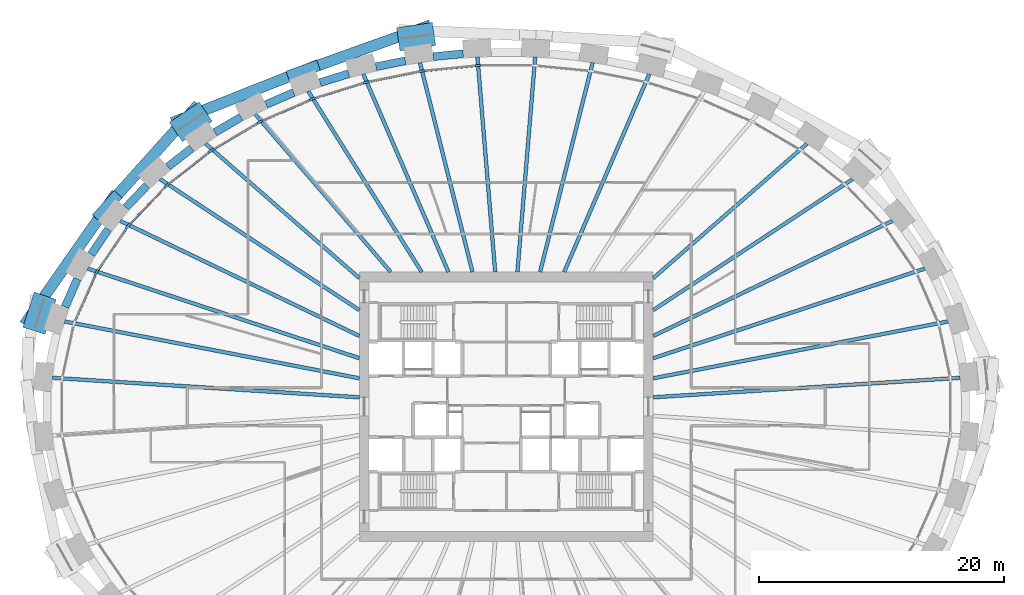
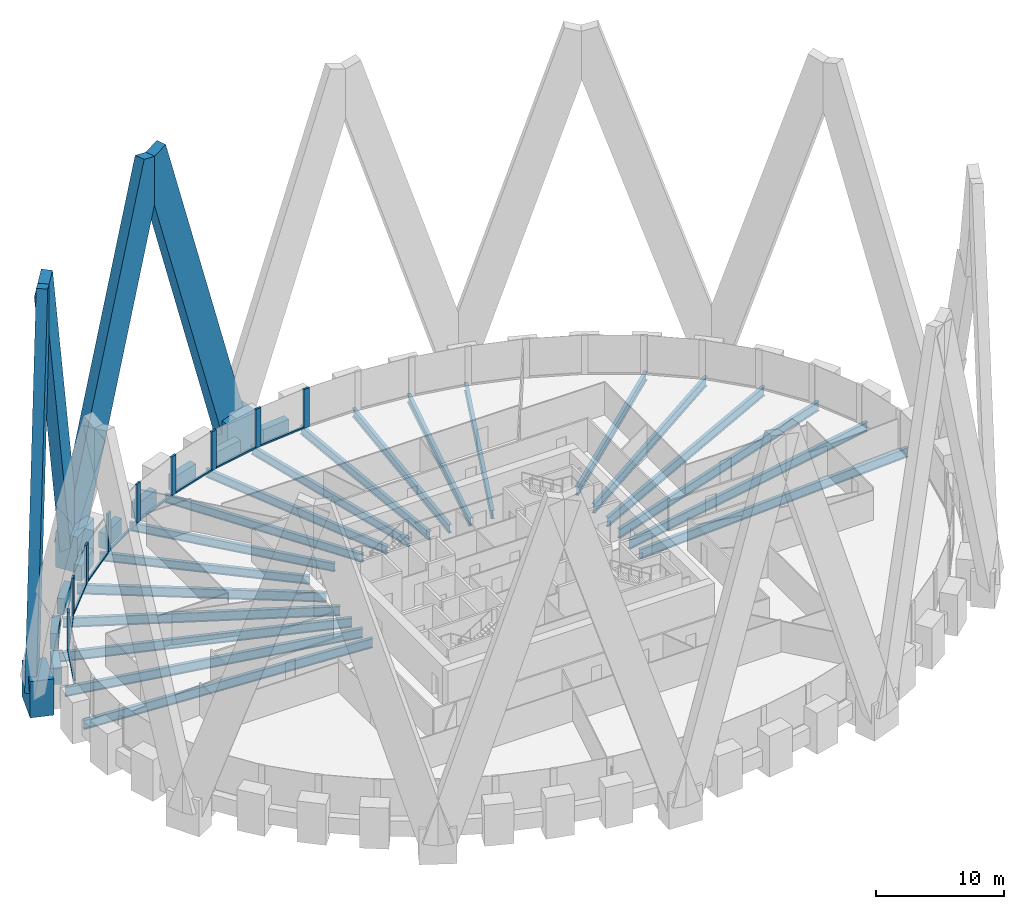
# One storey, part 3 of 12: 29 beams, 25 members, 1 element without a shape of its own.
"""IFC4 building model written with IfcOpenShell, lengths in metres."""

from ifc_helpers import new_model, si_unit, direction, frame, origin, origin_2d, place, context, subcontext, project, spatial, rectangle, i_section, extrude, source, transform, mapped, material, material_profile, profile_set, type_object, element, aggregate, save


model = new_model("IFC4")

# Units and contexts
model_context = context("Model", 3, precision=1e-05, world=origin(), true_north=direction((0.0, 1.0)))
body_context = subcontext(model_context, "Body", "Model", "MODEL_VIEW")
ifc_project = project(units=[si_unit("LENGTHUNIT", "METRE"), si_unit("AREAUNIT", "SQUARE_METRE"), si_unit("VOLUMEUNIT", "CUBIC_METRE"), si_unit("PLANEANGLEUNIT", "RADIAN"), si_unit("MASSUNIT", "GRAM", prefix="KILO")], contexts=[model_context])

# Site, building, storey
site_placement = place(None, origin())
site = spatial("IfcSite", under=ifc_project, at=site_placement, CompositionType="ELEMENT")
building_placement = place(site_placement, origin())
building = spatial("IfcBuilding", under=site, at=building_placement, Name="Embergate Tower", CompositionType="ELEMENT")
storey_placement = place(building_placement, frame((0.0, 0.0, 159.89990234375)))
storey = spatial("IfcBuildingStorey", under=building, at=storey_placement, Name="L35", CompositionType="ELEMENT", Elevation=159.89990234375)

# Beams
ifc_material_1 = material(Name="Concrete C70", Category="concrete")
ifc_material_profile_1 = material_profile(ifc_material_1, rectangle(XDim=0.64990234375, YDim=1.5, at=origin_2d()), Name="RC 650x1500")
ifc_profile_set_1 = profile_set([ifc_material_profile_1], Name="Concrete C70")
beam_type_1 = type_object("IfcBeamType", Name="Spandrel beam RC 650x1500 C70", PredefinedType="BEAM", material=ifc_profile_set_1)
shared_shape_1 = source(origin(), body_context, "Body", "SweptSolid", [
    extrude(rectangle(XDim=0.64990234375, YDim=1.5, at=origin_2d()), origin(), (0.0, 0.0, 1.0), 2.48828125),
])
beam_1_placement = place(storey_placement, frame((-35.0419921875, 10.43505859375, 0.0), z_axis=(-0.401472379967, -0.91587113074, 0.0), x_axis=(0.91587113074, -0.401472379967, 0.0)))
element("IfcBeam", 1, at=beam_1_placement, inside=storey, type_object=beam_type_1, Name="SPN-L35-19", PredefinedType="BEAM", context=body_context, shape_type="MappedRepresentation", body=[
    mapped(shared_shape_1, transform((0.0, 0.0, 0.0))),
])
shared_shape_2 = source(origin(), body_context, "Body", "SweptSolid", [
    extrude(rectangle(XDim=0.64990234375, YDim=1.5, at=origin_2d()), origin(), (0.0, 0.0, 1.0), 2.4775390625),
])
beam_2_placement = place(storey_placement, frame((-32.51806640625, 14.486083984375, 0.0), z_axis=(-0.562159078618, -0.827029123022, 0.0), x_axis=(0.827029123022, -0.562159078618, 0.0)))
element("IfcBeam", 2, at=beam_2_placement, inside=storey, type_object=beam_type_1, Name="SPN-L35-18", PredefinedType="BEAM", context=body_context, shape_type="MappedRepresentation", body=[
    mapped(shared_shape_2, transform((0.0, 0.0, 0.0))),
])
shared_shape_3 = source(origin(), body_context, "Body", "SweptSolid", [
    extrude(rectangle(XDim=0.64990234375, YDim=1.5, at=origin_2d()), origin(), (0.0, 0.0, 1.0), 2.473388671875),
])
beam_3_placement = place(storey_placement, frame((-29.364990234375, 18.06494140625, 0.0), z_axis=(-0.69012823406, -0.723687101276, 0.0), x_axis=(0.723687101276, -0.69012823406, 0.0)))
element("IfcBeam", 3, at=beam_3_placement, inside=storey, type_object=beam_type_1, Name="SPN-L35-17", PredefinedType="BEAM", context=body_context, shape_type="MappedRepresentation", body=[
    mapped(shared_shape_3, transform((0.0, 0.0, 0.0))),
])
shared_shape_4 = source(origin(), body_context, "Body", "SweptSolid", [
    extrude(rectangle(XDim=0.64990234375, YDim=1.5, at=origin_2d()), origin(), (0.0, 0.0, 1.0), 2.466552734375),
])
beam_4_placement = place(storey_placement, frame((-25.702880859375, 21.112060546875, 0.0), z_axis=(-0.788172909908, -0.615453868367, 0.0), x_axis=(0.615453868367, -0.788172909908, 0.0)))
element("IfcBeam", 4, at=beam_4_placement, inside=storey, type_object=beam_type_1, Name="SPN-L35-16", PredefinedType="BEAM", context=body_context, shape_type="MappedRepresentation", body=[
    mapped(shared_shape_4, transform((0.0, 0.0, 0.0))),
])
shared_shape_5 = source(origin(), body_context, "Body", "SweptSolid", [
    extrude(rectangle(XDim=0.64990234375, YDim=1.5, at=origin_2d()), origin(), (0.0, 0.0, 1.0), 2.46142578125),
])
beam_5_placement = place(storey_placement, frame((-21.678955078125, 23.652099609375, 0.0), z_axis=(-0.86214832468, -0.506655964389, 0.0), x_axis=(0.506655964389, -0.86214832468, 0.0)))
element("IfcBeam", 5, at=beam_5_placement, inside=storey, type_object=beam_type_1, Name="SPN-L35-15", PredefinedType="BEAM", context=body_context, shape_type="MappedRepresentation", body=[
    mapped(shared_shape_5, transform((0.0, 0.0, 0.0))),
])
shared_shape_6 = source(origin(), body_context, "Body", "SweptSolid", [
    extrude(rectangle(XDim=0.64990234375, YDim=1.5, at=origin_2d()), origin(), (0.0, 0.0, 1.0), 2.456787109375),
])
beam_6_placement = place(storey_placement, frame((-17.3701171875, 25.6640625, 0.0), z_axis=(-0.916257660854, -0.40058943936, 0.0), x_axis=(0.40058943936, -0.916257660854, 0.0)))
element("IfcBeam", 6, at=beam_6_placement, inside=storey, type_object=beam_type_1, Name="SPN-L35-14", PredefinedType="BEAM", context=body_context, shape_type="MappedRepresentation", body=[
    mapped(shared_shape_6, transform((0.0, 0.0, 0.0))),
])
shared_shape_7 = source(origin(), body_context, "Body", "SweptSolid", [
    extrude(rectangle(XDim=0.64990234375, YDim=1.5, at=origin_2d()), origin(), (0.0, 0.0, 1.0), 2.4541015625),
])
beam_7_placement = place(storey_placement, frame((-12.8720703125, 27.197998046875, 0.0), z_axis=(-0.954736297307, -0.29745353016, 0.0), x_axis=(0.29745353016, -0.954736297307, 0.0)))
element("IfcBeam", 7, at=beam_7_placement, inside=storey, type_object=beam_type_1, Name="SPN-L35-13", PredefinedType="BEAM", context=body_context, shape_type="MappedRepresentation", body=[
    mapped(shared_shape_7, transform((0.0, 0.0, 0.0))),
])
shared_shape_8 = source(origin(), body_context, "Body", "SweptSolid", [
    extrude(rectangle(XDim=0.64990234375, YDim=1.5, at=origin_2d()), origin(), (0.0, 0.0, 1.0), 2.453125),
])
beam_8_placement = place(storey_placement, frame((-8.238037109375, 28.2490234375, 0.0), z_axis=(-0.980431102511, -0.196862523679, 0.0), x_axis=(0.196862523679, -0.980431102511, 0.0)))
element("IfcBeam", 8, at=beam_8_placement, inside=storey, type_object=beam_type_1, Name="SPN-L35-12", PredefinedType="BEAM", context=body_context, shape_type="MappedRepresentation", body=[
    mapped(shared_shape_8, transform((0.0, 0.0, 0.0))),
])
shared_shape_9 = source(origin(), body_context, "Body", "SweptSolid", [
    extrude(rectangle(XDim=0.64990234375, YDim=1.5, at=origin_2d()), origin(), (0.0, 0.0, 1.0), 2.45166015625),
])
beam_9_placement = place(storey_placement, frame((-3.52294921875, 28.827880859375, 0.0), z_axis=(-0.995197569904, -0.097886653113, 0.0), x_axis=(0.097886653113, -0.995197569904, 0.0)))
element("IfcBeam", 9, at=beam_9_placement, inside=storey, type_object=beam_type_1, Name="SPN-L35-11", PredefinedType="BEAM", context=body_context, shape_type="MappedRepresentation", body=[
    mapped(shared_shape_9, transform((0.0, 0.0, 0.0))),
])
ifc_material_2 = material(Name="Steel Q355B", Category="steel")
ifc_material_profile_2 = material_profile(ifc_material_2, i_section(OverallWidth=0.300048828125, OverallDepth=0.89990234375, WebThickness=0.01611328125, FlangeThickness=0.028076171875, FilletRadius=0.028076171875, at=origin_2d()), Name="HN 900x300x16x28")
ifc_profile_set_2 = profile_set([ifc_material_profile_2], Name="Steel Q355 grade B")
beam_type_2 = type_object("IfcBeamType", Name="Radial girder HN 900x300x16x28", PredefinedType="BEAM", material=ifc_profile_set_2)
shared_shape_10 = source(origin(), body_context, "Body", "SweptSolid", [
    extrude(i_section(OverallWidth=0.300048828125, OverallDepth=0.89990234375, WebThickness=0.01611328125, FlangeThickness=0.028076171875, FilletRadius=0.028076171875, at=origin_2d()), origin(), (0.0, 0.0, 1.0), 25.12158203125),
])
for number, where, z_axis, x_axis, name in (
    (10, (37.071044921875, 2.35498046875, -0.64990234375), (-0.9979874177, -0.063412255217, 0.0), (0.063412255217, -0.9979874177, 0.0), "GIR-L35-00"),
    (11, (-37.071044921875, 2.35498046875, -0.64990234375), (0.9979874177, -0.063412255217, 0.0), (0.063412255217, 0.9979874177, 0.0), "GIR-L35-21"),
):
    element("IfcBeam", number, at=place(storey_placement, frame(where, z_axis=z_axis, x_axis=x_axis)), inside=storey, type_object=beam_type_2, Name=name, PredefinedType="BEAM", context=body_context, shape_type="MappedRepresentation", body=[
        mapped(shared_shape_10, transform((0.0, 0.0, 0.0))),
    ])
shared_shape_11 = source(origin(), body_context, "Body", "SweptSolid", [
    extrude(i_section(OverallWidth=0.300048828125, OverallDepth=0.89990234375, WebThickness=0.01611328125, FlangeThickness=0.028076171875, FilletRadius=0.028076171875, at=origin_2d()), origin(), (0.0, 0.0, 1.0), 24.52392578125),
])
for number, where, z_axis, x_axis, name in (
    (12, (36.080078125, 6.958984375, -0.64990234375), (-0.981906046022, -0.189368732333, 0.0), (0.189368732333, -0.981906046022, 0.0), "GIR-L35-01"),
    (13, (-36.080078125, 6.958984375, -0.64990234375), (0.981906046022, -0.189368732333, 0.0), (0.189368732333, 0.981906046022, 0.0), "GIR-L35-20"),
):
    element("IfcBeam", number, at=place(storey_placement, frame(where, z_axis=z_axis, x_axis=x_axis)), inside=storey, type_object=beam_type_2, Name=name, PredefinedType="BEAM", context=body_context, shape_type="MappedRepresentation", body=[
        mapped(shared_shape_11, transform((0.0, 0.0, 0.0))),
    ])
shared_shape_12 = source(origin(), body_context, "Body", "SweptSolid", [
    extrude(i_section(OverallWidth=0.300048828125, OverallDepth=0.89990234375, WebThickness=0.01611328125, FlangeThickness=0.028076171875, FilletRadius=0.028076171875, at=origin_2d()), origin(), (0.0, 0.0, 1.0), 23.36328125),
])
for number, where, z_axis, x_axis, name in (
    (14, (34.18798828125, 11.27490234375, -0.64990234375), (-0.949694119995, -0.313178987877, 0.0), (0.313178987877, -0.949694119995, 0.0), "GIR-L35-02"),
    (15, (-34.18798828125, 11.27490234375, -0.64990234375), (0.949694119995, -0.313178987877, 0.0), (0.313178987877, 0.949694119995, 0.0), "GIR-L35-19"),
):
    element("IfcBeam", number, at=place(storey_placement, frame(where, z_axis=z_axis, x_axis=x_axis)), inside=storey, type_object=beam_type_2, Name=name, PredefinedType="BEAM", context=body_context, shape_type="MappedRepresentation", body=[
        mapped(shared_shape_12, transform((0.0, 0.0, 0.0))),
    ])
shared_shape_13 = source(origin(), body_context, "Body", "SweptSolid", [
    extrude(i_section(OverallWidth=0.300048828125, OverallDepth=0.89990234375, WebThickness=0.01611328125, FlangeThickness=0.028076171875, FilletRadius=0.028076171875, at=origin_2d()), origin(), (0.0, 0.0, 1.0), 21.680419921875),
])
for number, where, z_axis, x_axis, name in (
    (16, (31.537109375, 15.172119140625, -0.64990234375), (-0.90113839793, -0.433531530315, 0.0), (0.433531530315, -0.90113839793, 0.0), "GIR-L35-03"),
    (17, (-31.537109375, 15.172119140625, -0.64990234375), (0.90113839793, -0.433531530315, 0.0), (0.433531530315, 0.90113839793, 0.0), "GIR-L35-18"),
):
    element("IfcBeam", number, at=place(storey_placement, frame(where, z_axis=z_axis, x_axis=x_axis)), inside=storey, type_object=beam_type_2, Name=name, PredefinedType="BEAM", context=body_context, shape_type="MappedRepresentation", body=[
        mapped(shared_shape_13, transform((0.0, 0.0, 0.0))),
    ])
shared_shape_14 = source(origin(), body_context, "Body", "SweptSolid", [
    extrude(i_section(OverallWidth=0.300048828125, OverallDepth=0.89990234375, WebThickness=0.01611328125, FlangeThickness=0.028076171875, FilletRadius=0.028076171875, at=origin_2d()), origin(), (0.0, 0.0, 1.0), 19.484130859375),
])
for number, where, z_axis, x_axis, name in (
    (18, (28.283935546875, 18.5830078125, -0.64990234375), (-0.835750168369, -0.549109876137, 0.0), (0.549109876137, -0.835750168369, 0.0), "GIR-L35-04"),
    (19, (-28.283935546875, 18.5830078125, -0.64990234375), (0.835750168369, -0.549109876137, 0.0), (0.549109876137, 0.835750168369, 0.0), "GIR-L35-17"),
):
    element("IfcBeam", number, at=place(storey_placement, frame(where, z_axis=z_axis, x_axis=x_axis)), inside=storey, type_object=beam_type_2, Name=name, PredefinedType="BEAM", context=body_context, shape_type="MappedRepresentation", body=[
        mapped(shared_shape_14, transform((0.0, 0.0, 0.0))),
    ])
ifc_material_profile_3 = material_profile(ifc_material_2, i_section(OverallWidth=0.300048828125, OverallDepth=0.800048828125, WebThickness=0.013916015625, FlangeThickness=0.02587890625, FilletRadius=0.028076171875, at=origin_2d()), Name="HN 800x300x14x26")
ifc_profile_set_3 = profile_set([ifc_material_profile_3], Name="Steel Q355 grade B")
beam_type_3 = type_object("IfcBeamType", Name="Radial girder HN 800x300x14x26", PredefinedType="BEAM", material=ifc_profile_set_3)
shared_shape_15 = source(origin(), body_context, "Body", "SweptSolid", [
    extrude(i_section(OverallWidth=0.300048828125, OverallDepth=0.800048828125, WebThickness=0.013916015625, FlangeThickness=0.02587890625, FilletRadius=0.028076171875, at=origin_2d()), origin(), (0.0, 0.0, 1.0), 16.6953125),
])
for number, where, z_axis, x_axis, name in (
    (20, (24.56689453125, 21.485107421875, -0.599853515625), (-0.752719804108, -0.658341018397, 0.0), (0.658341018397, -0.752719804108, 0.0), "GIR-L35-05"),
    (21, (-24.56689453125, 21.485107421875, -0.599853515625), (0.752719804108, -0.658341018397, 0.0), (0.658341018397, 0.752719804108, 0.0), "GIR-L35-16"),
):
    element("IfcBeam", number, at=place(storey_placement, frame(where, z_axis=z_axis, x_axis=x_axis)), inside=storey, type_object=beam_type_3, Name=name, PredefinedType="BEAM", context=body_context, shape_type="MappedRepresentation", body=[
        mapped(shared_shape_15, transform((0.0, 0.0, 0.0))),
    ])
shared_shape_16 = source(origin(), body_context, "Body", "SweptSolid", [
    extrude(i_section(OverallWidth=0.300048828125, OverallDepth=0.800048828125, WebThickness=0.013916015625, FlangeThickness=0.02587890625, FilletRadius=0.028076171875, at=origin_2d()), origin(), (0.0, 0.0, 1.0), 16.970458984375),
])
beam_10_placement = place(storey_placement, frame((-20.501953125, 23.875, -0.599853515625), z_axis=(0.651477073616, -0.758668321833, 0.0), x_axis=(0.758668321833, 0.651477073616, 0.0)))
element("IfcBeam", 22, at=beam_10_placement, inside=storey, type_object=beam_type_3, Name="GIR-L35-15", PredefinedType="BEAM", context=body_context, shape_type="MappedRepresentation", body=[
    mapped(shared_shape_16, transform((0.0, 0.0, 0.0))),
])
shared_shape_17 = source(origin(), body_context, "Body", "SweptSolid", [
    extrude(i_section(OverallWidth=0.300048828125, OverallDepth=0.800048828125, WebThickness=0.013916015625, FlangeThickness=0.02587890625, FilletRadius=0.028076171875, at=origin_2d()), origin(), (0.0, 0.0, 1.0), 17.433837890625),
])
beam_11_placement = place(storey_placement, frame((-16.179931640625, 25.763916015625, -0.599853515625), z_axis=(0.531834233156, -0.846848480216, 0.0), x_axis=(0.846848480216, 0.531834233156, 0.0)))
element("IfcBeam", 23, at=beam_11_placement, inside=storey, type_object=beam_type_3, Name="GIR-L35-14", PredefinedType="BEAM", context=body_context, shape_type="MappedRepresentation", body=[
    mapped(shared_shape_17, transform((0.0, 0.0, 0.0))),
])
shared_shape_18 = source(origin(), body_context, "Body", "SweptSolid", [
    extrude(i_section(OverallWidth=0.300048828125, OverallDepth=0.800048828125, WebThickness=0.013916015625, FlangeThickness=0.02587890625, FilletRadius=0.028076171875, at=origin_2d()), origin(), (0.0, 0.0, 1.0), 17.59619140625),
])
for number, where, z_axis, x_axis, name in (
    (24, (11.677001953125, 27.166015625, -0.599853515625), (-0.394912057755, -0.918718926898, 0.0), (0.918718926898, -0.394912057755, 0.0), "GIR-L35-08"),
    (25, (-11.677001953125, 27.166015625, -0.599853515625), (0.394912057755, -0.918718926898, 0.0), (0.918718926898, 0.394912057755, 0.0), "GIR-L35-13"),
):
    element("IfcBeam", number, at=place(storey_placement, frame(where, z_axis=z_axis, x_axis=x_axis)), inside=storey, type_object=beam_type_3, Name=name, PredefinedType="BEAM", context=body_context, shape_type="MappedRepresentation", body=[
        mapped(shared_shape_18, transform((0.0, 0.0, 0.0))),
    ])
shared_shape_19 = source(origin(), body_context, "Body", "SweptSolid", [
    extrude(i_section(OverallWidth=0.300048828125, OverallDepth=0.800048828125, WebThickness=0.013916015625, FlangeThickness=0.02587890625, FilletRadius=0.028076171875, at=origin_2d()), origin(), (0.0, 0.0, 1.0), 17.624267578125),
])
for number, where, z_axis, x_axis, name in (
    (26, (7.052001953125, 28.093994140625, -0.599853515625), (-0.24347096124, -0.969908186909, 0.0), (0.969908186909, -0.24347096124, 0.0), "GIR-L35-09"),
    (27, (-7.052001953125, 28.093994140625, -0.599853515625), (0.24347096124, -0.969908186909, 0.0), (0.969908186909, 0.24347096124, 0.0), "GIR-L35-12"),
):
    element("IfcBeam", number, at=place(storey_placement, frame(where, z_axis=z_axis, x_axis=x_axis)), inside=storey, type_object=beam_type_3, Name=name, PredefinedType="BEAM", context=body_context, shape_type="MappedRepresentation", body=[
        mapped(shared_shape_19, transform((0.0, 0.0, 0.0))),
    ])
shared_shape_20 = source(origin(), body_context, "Body", "SweptSolid", [
    extrude(i_section(OverallWidth=0.300048828125, OverallDepth=0.800048828125, WebThickness=0.013916015625, FlangeThickness=0.02587890625, FilletRadius=0.028076171875, at=origin_2d()), origin(), (0.0, 0.0, 1.0), 17.61572265625),
])
for number, where, z_axis, x_axis, name in (
    (28, (2.35888671875, 28.555908203125, -0.599853515625), (-0.0823102465, -0.996606754603, 0.0), (0.996606754603, -0.0823102465, 0.0), "GIR-L35-10"),
    (29, (-2.35888671875, 28.555908203125, -0.599853515625), (0.0823102465, -0.996606754603, 0.0), (0.996606754603, 0.0823102465, 0.0), "GIR-L35-11"),
):
    element("IfcBeam", number, at=place(storey_placement, frame(where, z_axis=z_axis, x_axis=x_axis)), inside=storey, type_object=beam_type_3, Name=name, PredefinedType="BEAM", context=body_context, shape_type="MappedRepresentation", body=[
        mapped(shared_shape_20, transform((0.0, 0.0, 0.0))),
    ])

# Members
ifc_material_profile_4 = material_profile(ifc_material_1, rectangle(XDim=1.89990234375, YDim=3.0, at=origin_2d()), Name="RC 1900x3000")
ifc_profile_set_4 = profile_set([ifc_material_profile_4], Name="Concrete C70")
member_type_1 = type_object("IfcMemberType", Name="Lattice node block RC 1900x3000", PredefinedType="POST", material=ifc_profile_set_4)
shared_shape_21 = source(origin(), body_context, "Body", "SweptSolid", [
    extrude(rectangle(XDim=1.89990234375, YDim=3.0, at=origin_2d()), origin(), (0.0, 0.0, 1.0), 3.449951171875),
])
member_1_placement = place(storey_placement, frame((-38.1240234375, 7.6259765625, -1.724853515625), z_axis=(0.0, 0.0, 1.0), x_axis=(-0.950754033697, 0.309946394413, 0.0)))
element("IfcMember", 30, at=member_1_placement, inside=storey, type_object=member_type_1, Name="NOD-L35-20", PredefinedType="POST", context=body_context, shape_type="MappedRepresentation", body=[
    mapped(shared_shape_21, transform((0.0, 0.0, 0.0))),
])
ifc_material_profile_5 = material_profile(ifc_material_1, rectangle(XDim=1.89990234375, YDim=2.949951171875, at=origin_2d()), Name="RC 1900x2950")
ifc_profile_set_5 = profile_set([ifc_material_profile_5], Name="Concrete C70")
member_type_2 = type_object("IfcMemberType", Name="Lattice node block RC 1900x2950", PredefinedType="POST", material=ifc_profile_set_5)
shared_shape_22 = source(origin(), body_context, "Body", "SweptSolid", [
    extrude(rectangle(XDim=1.89990234375, YDim=2.949951171875, at=origin_2d()), origin(), (0.0, 0.0, 1.0), 3.400146484375),
])
for number, where, z_axis, x_axis, name in (
    (31, (-7.368896484375, 30.220947265625, -1.699951171875), (0.0, 0.0, 1.0), (-0.146929011949, 0.989147039346, 0.0), "NOD-L35-12"),
    (32, (-25.77197265625, 23.264892578125, -1.699951171875), (0.0, 0.0, 1.0), (-0.560393279442, 0.828226643109, 0.0), "NOD-L35-16"),
):
    element("IfcMember", number, at=place(storey_placement, frame(where, z_axis=z_axis, x_axis=x_axis)), inside=storey, type_object=member_type_2, Name=name, PredefinedType="POST", context=body_context, shape_type="MappedRepresentation", body=[
        mapped(shared_shape_22, transform((0.0, 0.0, 0.0))),
    ])
ifc_material_profile_6 = material_profile(ifc_material_1, rectangle(XDim=0.89990234375, YDim=2.800048828125, at=origin_2d()), Name="RC 900x2800")
ifc_profile_set_6 = profile_set([ifc_material_profile_6], Name="Concrete C70")
member_type_3 = type_object("IfcMemberType", Name="Lattice diagonal terracotta-faced RC 900x2800", PredefinedType="BRACE", material=ifc_profile_set_6)
shared_shape_23 = source(origin(), body_context, "Body", "SweptSolid", [
    extrude(rectangle(XDim=0.89990234375, YDim=2.800048828125, at=origin_2d()), origin(), (0.0, 0.0, 1.0), 32.679443359375),
])
member_2_placement = place(storey_placement, frame((-7.44091796875, 30.7080078125, 0.0), z_axis=(-0.280056767533, -0.10025026712, 0.954734565679), x_axis=(0.337022034718, -0.941496759482, 0.0)))
element("IfcMember", 33, at=member_2_placement, inside=storey, type_object=member_type_3, Name="BRC-L35-12-14-S00", PredefinedType="BRACE", context=body_context, shape_type="MappedRepresentation", body=[
    mapped(shared_shape_23, transform((0.0, 0.0, 0.0))),
])
shared_shape_24 = source(origin(), body_context, "Body", "SweptSolid", [
    extrude(rectangle(XDim=0.89990234375, YDim=2.800048828125, at=origin_2d()), origin(), (0.0, 0.0, 1.0), 32.8173828125),
])
member_3_placement = place(storey_placement, frame((-26.048095703125, 23.673095703125, 0.0), z_axis=(0.288112079328, 0.114536603319, 0.95072224979), x_axis=(-0.369420630284, 0.929262286935, 0.0)))
element("IfcMember", 34, at=member_3_placement, inside=storey, type_object=member_type_3, Name="BRC-L35-16-14-S00", PredefinedType="BRACE", context=body_context, shape_type="MappedRepresentation", body=[
    mapped(shared_shape_24, transform((0.0, 0.0, 0.0))),
])
shared_shape_25 = source(origin(), body_context, "Body", "SweptSolid", [
    extrude(rectangle(XDim=0.89990234375, YDim=2.800048828125, at=origin_2d()), origin(), (0.0, 0.0, 1.0), 32.707763671875),
])
member_4_placement = place(storey_placement, frame((-26.048095703125, 23.673095703125, 0.0), z_axis=(-0.200223112971, -0.223526742508, 0.953911159604), x_axis=(0.744867785047, -0.667212097312, 0.0)))
element("IfcMember", 35, at=member_4_placement, inside=storey, type_object=member_type_3, Name="BRC-L35-16-18-S00", PredefinedType="BRACE", context=body_context, shape_type="MappedRepresentation", body=[
    mapped(shared_shape_25, transform((0.0, 0.0, 0.0))),
])
shared_shape_26 = source(origin(), body_context, "Body", "SweptSolid", [
    extrude(rectangle(XDim=0.89990234375, YDim=2.800048828125, at=origin_2d()), origin(), (0.0, 0.0, 1.0), 32.91015625),
])
member_5_placement = place(storey_placement, frame((-38.593017578125, 7.779052734375, 0.0), z_axis=(0.182196269067, 0.260801792969, 0.948043745996), x_axis=(-0.819770535055, 0.572692124842, 0.0)))
element("IfcMember", 36, at=member_5_placement, inside=storey, type_object=member_type_3, Name="BRC-L35-20-18-S00", PredefinedType="BRACE", context=body_context, shape_type="MappedRepresentation", body=[
    mapped(shared_shape_26, transform((0.0, 0.0, 0.0))),
])

# Curtain wall, members
ifc_material_3 = material(Name="Aluminium and glass", Category="aluminium")
curtain_wall_type = type_object("IfcCurtainWallType", Name="Recessed office glazing", PredefinedType="NOTDEFINED", material=ifc_material_3)
curtain_wall_placement = place(storey_placement, origin())
curtain_wall = element("IfcCurtainWall", 37, at=curtain_wall_placement, inside=storey, type_object=curtain_wall_type, Name="Recessed office glazing ring", ObjectType="RECESSED OFFICE GLAZING", PredefinedType="USERDEFINED")
ifc_material_4 = material(Name="Aluminium, thermally broken", Category="aluminium")
ifc_material_profile_7 = material_profile(ifc_material_4, rectangle(XDim=0.179931640625, YDim=0.52001953125, at=origin_2d()), Name="AL 520x180")
ifc_profile_set_7 = profile_set([ifc_material_profile_7], Name="Aluminium, thermally broken")
member_type_4 = type_object("IfcMemberType", Name="Office mullion", PredefinedType="MULLION", material=ifc_profile_set_7)
shared_shape_27 = source(origin(), body_context, "Body", "SweptSolid", [
    extrude(rectangle(XDim=0.179931640625, YDim=0.52001953125, at=origin_2d()), origin(), (0.0, 0.0, 1.0), 3.7001953125),
])
member_6_placement = place(storey_placement, frame((-2.31396484375, 27.8564453125, 0.0), z_axis=(0.0, 0.0, 1.0), x_axis=(0.048971796621, -0.998800161762, 0.0)))
member_6 = element("IfcMember", 38, at=member_6_placement, type_object=member_type_4, Name="CW mullion 12", PredefinedType="MULLION", context=body_context, shape_type="MappedRepresentation", body=[
    mapped(shared_shape_27, transform((0.0, 0.0, 0.0))),
])
member_7_placement = place(storey_placement, frame((-6.919189453125, 27.40380859375, 0.0), z_axis=(0.0, 0.0, 1.0), x_axis=(0.147412382818, -0.989075118174, 0.0)))
member_7 = element("IfcMember", 39, at=member_7_placement, type_object=member_type_4, Name="CW mullion 13", PredefinedType="MULLION", context=body_context, shape_type="MappedRepresentation", body=[
    mapped(shared_shape_27, transform((0.0, 0.0, 0.0))),
])
member_8_placement = place(storey_placement, frame((-11.454833984375, 26.494140625, 0.0), z_axis=(0.0, 0.0, 1.0), x_axis=(0.24731188137, -0.968935928394, 0.0)))
member_8 = element("IfcMember", 40, at=member_8_placement, type_object=member_type_4, Name="CW mullion 14", PredefinedType="MULLION", context=body_context, shape_type="MappedRepresentation", body=[
    mapped(shared_shape_27, transform((0.0, 0.0, 0.0))),
])
member_9_placement = place(storey_placement, frame((-15.86962890625, 25.119384765625, 0.0), z_axis=(0.0, 0.0, 1.0), x_axis=(0.349502682851, -0.936935363128, 0.0)))
member_9 = element("IfcMember", 41, at=member_9_placement, type_object=member_type_4, Name="CW mullion 15", PredefinedType="MULLION", context=body_context, shape_type="MappedRepresentation", body=[
    mapped(shared_shape_27, transform((0.0, 0.0, 0.0))),
])
member_10_placement = place(storey_placement, frame((-20.103271484375, 23.26806640625, 0.0), z_axis=(0.0, 0.0, 1.0), x_axis=(0.454509825889, -0.890741723605, 0.0)))
member_10 = element("IfcMember", 42, at=member_10_placement, type_object=member_type_4, Name="CW mullion 16", PredefinedType="MULLION", context=body_context, shape_type="MappedRepresentation", body=[
    mapped(shared_shape_27, transform((0.0, 0.0, 0.0))),
])
member_11_placement = place(storey_placement, frame((-24.08251953125, 20.9287109375, 0.0), z_axis=(0.0, 0.0, 1.0), x_axis=(0.562216175174, -0.826990309721, 0.0)))
member_11 = element("IfcMember", 43, at=member_11_placement, type_object=member_type_4, Name="CW mullion 17", PredefinedType="MULLION", context=body_context, shape_type="MappedRepresentation", body=[
    mapped(shared_shape_27, transform((0.0, 0.0, 0.0))),
])
member_12_placement = place(storey_placement, frame((-27.716796875, 18.092041015625, 0.0), z_axis=(0.0, 0.0, 1.0), x_axis=(0.671226533956, -0.741252278319, 0.0)))
member_12 = element("IfcMember", 44, at=member_12_placement, type_object=member_type_4, Name="CW mullion 18", PredefinedType="MULLION", context=body_context, shape_type="MappedRepresentation", body=[
    mapped(shared_shape_27, transform((0.0, 0.0, 0.0))),
])
member_13_placement = place(storey_placement, frame((-30.89306640625, 14.76123046875, 0.0), z_axis=(0.0, 0.0, 1.0), x_axis=(0.777872564355, -0.628422050555, 0.0)))
member_13 = element("IfcMember", 45, at=member_13_placement, type_object=member_type_4, Name="CW mullion 19", PredefinedType="MULLION", context=body_context, shape_type="MappedRepresentation", body=[
    mapped(shared_shape_27, transform((0.0, 0.0, 0.0))),
])
member_14_placement = place(storey_placement, frame((-33.4765625, 10.96240234375, 0.0), z_axis=(0.0, 0.0, 1.0), x_axis=(0.875001895832, -0.484119491748, 0.0)))
member_14 = element("IfcMember", 46, at=member_14_placement, type_object=member_type_4, Name="CW mullion 20", PredefinedType="MULLION", context=body_context, shape_type="MappedRepresentation", body=[
    mapped(shared_shape_27, transform((0.0, 0.0, 0.0))),
])
ifc_material_profile_8 = material_profile(ifc_material_4, rectangle(XDim=0.179931640625, YDim=0.14990234375, at=origin_2d()), Name="AL 150x180")
ifc_profile_set_8 = profile_set([ifc_material_profile_8], Name="Aluminium, thermally broken")
member_type_5 = type_object("IfcMemberType", Name="Office sill transom", PredefinedType="USERDEFINED", material=ifc_profile_set_8)
shared_shape_28 = source(origin(), body_context, "Body", "SweptSolid", [
    extrude(rectangle(XDim=0.179931640625, YDim=0.14990234375, at=origin_2d()), origin(), (0.0, 0.0, 1.0), 4.06494140625),
])
member_15_placement = place(storey_placement, frame((-33.580810546875, 10.724365234375, 0.0751953125), z_axis=(-0.401675633899, -0.91578200743, 0.0), x_axis=(0.91578200743, -0.401675633899, 0.0)))
member_15 = element("IfcMember", 47, at=member_15_placement, type_object=member_type_5, Name="CW transom 20.1", ObjectType="TRANSOM", PredefinedType="USERDEFINED", context=body_context, shape_type="MappedRepresentation", body=[
    mapped(shared_shape_28, transform((0.0, 0.0, 0.0))),
])
shared_shape_29 = source(origin(), body_context, "Body", "SweptSolid", [
    extrude(rectangle(XDim=0.179931640625, YDim=0.14990234375, at=origin_2d()), origin(), (0.0, 0.0, 1.0), 4.073974609375),
])
member_16_placement = place(storey_placement, frame((-31.039306640625, 14.54638671875, 0.0751953125), z_axis=(-0.562337885641, -0.826907553704, 0.0), x_axis=(0.826907553704, -0.562337885641, 0.0)))
member_16 = element("IfcMember", 48, at=member_16_placement, type_object=member_type_5, Name="CW transom 19.1", ObjectType="TRANSOM", PredefinedType="USERDEFINED", context=body_context, shape_type="MappedRepresentation", body=[
    mapped(shared_shape_29, transform((0.0, 0.0, 0.0))),
])
shared_shape_30 = source(origin(), body_context, "Body", "SweptSolid", [
    extrude(rectangle(XDim=0.179931640625, YDim=0.14990234375, at=origin_2d()), origin(), (0.0, 0.0, 1.0), 4.082763671875),
])
member_17_placement = place(storey_placement, frame((-27.89599609375, 17.904052734375, 0.0751953125), z_axis=(-0.690134333582, -0.723681284552, 0.0), x_axis=(0.723681284552, -0.690134333582, 0.0)))
member_17 = element("IfcMember", 49, at=member_17_placement, type_object=member_type_5, Name="CW transom 18.1", ObjectType="TRANSOM", PredefinedType="USERDEFINED", context=body_context, shape_type="MappedRepresentation", body=[
    mapped(shared_shape_30, transform((0.0, 0.0, 0.0))),
])
shared_shape_31 = source(origin(), body_context, "Body", "SweptSolid", [
    extrude(rectangle(XDim=0.179931640625, YDim=0.14990234375, at=origin_2d()), origin(), (0.0, 0.0, 1.0), 4.090087890625),
])
member_18_placement = place(storey_placement, frame((-24.287353515625, 20.7685546875, 0.0751953125), z_axis=(-0.788341910095, -0.615237379219, 0.0), x_axis=(0.615237379219, -0.788341910095, 0.0)))
member_18 = element("IfcMember", 50, at=member_18_placement, type_object=member_type_5, Name="CW transom 17.1", ObjectType="TRANSOM", PredefinedType="USERDEFINED", context=body_context, shape_type="MappedRepresentation", body=[
    mapped(shared_shape_31, transform((0.0, 0.0, 0.0))),
])
shared_shape_32 = source(origin(), body_context, "Body", "SweptSolid", [
    extrude(rectangle(XDim=0.179931640625, YDim=0.14990234375, at=origin_2d()), origin(), (0.0, 0.0, 1.0), 4.095947265625),
])
member_19_placement = place(storey_placement, frame((-20.327392578125, 23.13623046875, 0.0751953125), z_axis=(-0.86205523764, -0.506814332134, 0.0), x_axis=(0.506814332134, -0.86205523764, 0.0)))
member_19 = element("IfcMember", 51, at=member_19_placement, type_object=member_type_5, Name="CW transom 16.1", ObjectType="TRANSOM", PredefinedType="USERDEFINED", context=body_context, shape_type="MappedRepresentation", body=[
    mapped(shared_shape_32, transform((0.0, 0.0, 0.0))),
])
shared_shape_33 = source(origin(), body_context, "Body", "SweptSolid", [
    extrude(rectangle(XDim=0.179931640625, YDim=0.14990234375, at=origin_2d()), origin(), (0.0, 0.0, 1.0), 4.1005859375),
])
member_20_placement = place(storey_placement, frame((-16.10791015625, 25.01513671875, 0.0751953125), z_axis=(-0.916237937351, -0.400634549382, 0.0), x_axis=(0.400634549382, -0.916237937351, 0.0)))
member_20 = element("IfcMember", 52, at=member_20_placement, type_object=member_type_5, Name="CW transom 15.1", ObjectType="TRANSOM", PredefinedType="USERDEFINED", context=body_context, shape_type="MappedRepresentation", body=[
    mapped(shared_shape_33, transform((0.0, 0.0, 0.0))),
])
shared_shape_34 = source(origin(), body_context, "Body", "SweptSolid", [
    extrude(rectangle(XDim=0.179931640625, YDim=0.14990234375, at=origin_2d()), origin(), (0.0, 0.0, 1.0), 4.103759765625),
])
member_21_placement = place(storey_placement, frame((-11.703125, 26.416748046875, 0.0751953125), z_axis=(-0.954772738111, -0.297336540911, 0.0), x_axis=(0.297336540911, -0.954772738111, 0.0)))
member_21 = element("IfcMember", 53, at=member_21_placement, type_object=member_type_5, Name="CW transom 14.1", ObjectType="TRANSOM", PredefinedType="USERDEFINED", context=body_context, shape_type="MappedRepresentation", body=[
    mapped(shared_shape_34, transform((0.0, 0.0, 0.0))),
])
shared_shape_35 = source(origin(), body_context, "Body", "SweptSolid", [
    extrude(rectangle(XDim=0.179931640625, YDim=0.14990234375, at=origin_2d()), origin(), (0.0, 0.0, 1.0), 4.10595703125),
])
member_22_placement = place(storey_placement, frame((-7.174072265625, 27.352783203125, 0.0751953125), z_axis=(-0.980477631016, -0.196630656505, 0.0), x_axis=(0.196630656505, -0.980477631016, 0.0)))
member_22 = element("IfcMember", 54, at=member_22_placement, type_object=member_type_5, Name="CW transom 13.1", ObjectType="TRANSOM", PredefinedType="USERDEFINED", context=body_context, shape_type="MappedRepresentation", body=[
    mapped(shared_shape_35, transform((0.0, 0.0, 0.0))),
])
shared_shape_36 = source(origin(), body_context, "Body", "SweptSolid", [
    extrude(rectangle(XDim=0.179931640625, YDim=0.14990234375, at=origin_2d()), origin(), (0.0, 0.0, 1.0), 4.107666015625),
])
member_23_placement = place(storey_placement, frame((-2.572509765625, 27.8310546875, 0.0751953125), z_axis=(-0.995202914721, -0.097832297995, 0.0), x_axis=(0.097832297995, -0.995202914721, 0.0)))
member_23 = element("IfcMember", 55, at=member_23_placement, type_object=member_type_5, Name="CW transom 12.1", ObjectType="TRANSOM", PredefinedType="USERDEFINED", context=body_context, shape_type="MappedRepresentation", body=[
    mapped(shared_shape_36, transform((0.0, 0.0, 0.0))),
])
aggregate(curtain_wall, [member_6, member_7, member_8, member_9, member_10, member_11, member_12, member_13, member_14, member_23, member_22, member_21, member_20, member_19, member_18, member_17, member_16, member_15])

save(model, "model.ifc")
